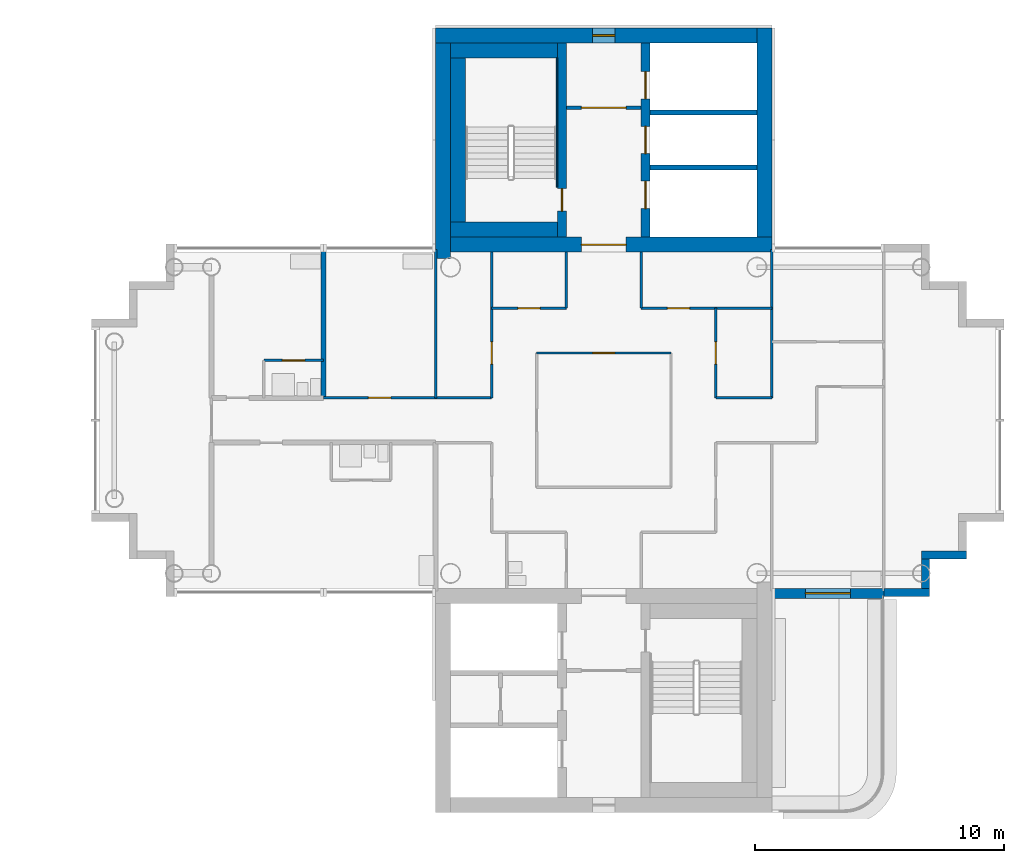
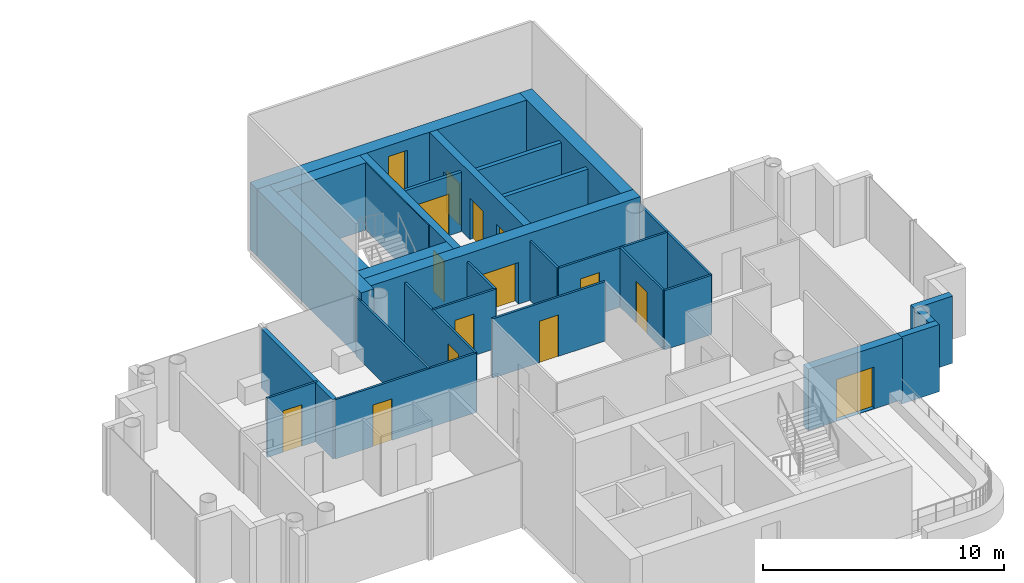
# One storey, part 10 of 18: 30 walls, 14 doors, 1 window, 15 openings.
"""IFC4 building model written with IfcOpenShell, lengths in metres."""

from ifc_helpers import new_model, si_unit, direction, frame, frame_2d, origin, place, context, subcontext, project, spatial, rectangle, extrude, material, layer, layer_set, type_object, element, fill, save


model = new_model("IFC4")

# Units and contexts
model_context = context("Model", 3, precision=1e-05, world=origin(), true_north=direction((0.0, 1.0)))
body_context = subcontext(model_context, "Body", "Model", "MODEL_VIEW")
ifc_project = project(units=[si_unit("LENGTHUNIT", "METRE"), si_unit("AREAUNIT", "SQUARE_METRE"), si_unit("VOLUMEUNIT", "CUBIC_METRE"), si_unit("PLANEANGLEUNIT", "RADIAN"), si_unit("MASSUNIT", "GRAM", prefix="KILO")], contexts=[model_context])

# Site, building, storey
site_placement = place(None, origin())
site = spatial("IfcSite", under=ifc_project, at=site_placement, CompositionType="ELEMENT")
building_placement = place(site_placement, origin())
building = spatial("IfcBuilding", under=site, at=building_placement, Name="Ipe Terrace Towers", CompositionType="ELEMENT")
storey_placement = place(building_placement, frame((0.0, 0.0, 213.0)))
storey = spatial("IfcBuildingStorey", under=building, at=storey_placement, Name="L59", CompositionType="ELEMENT", Elevation=213.0)

# Wall, opening, door
ifc_material_1 = material(Name="Concrete C40/50 with buff precast cladding", Category="concrete")
ifc_layer_1 = layer(ifc_material_1, 0.39990234375)
ifc_layer_set_1 = layer_set([ifc_layer_1], Name="BALCONY BAY WALL 400")
wall_type_1 = type_object("IfcWallType", Name="BALCONY BAY WALL 400", PredefinedType="STANDARD", material=ifc_layer_set_1)
wall_1_placement = place(storey_placement, frame((42.75, -6.949951171875, -0.02001953125), z_axis=(0.0, 0.0, 1.0), x_axis=(1.0, 0.0, 0.0)))
wall_1 = element("IfcWall", 1, at=wall_1_placement, inside=storey, type_object=wall_type_1, Name="T2-W-L59-02a wall", PredefinedType="STANDARD", context=body_context, shape_type="SweptSolid", body=[
    extrude(rectangle(XDim=4.5, YDim=0.39990234375, at=frame_2d((2.25, 0.0))), origin(), (0.0, 0.0, 1.0), 3.1201171875),
])
opening_1_placement = place(wall_1_placement, frame((1.35009765625, 0.0, 0.02001953125)))
opening_1 = element("IfcOpeningElement", 2, at=opening_1_placement, cuts=wall_1, Name="Opening T2-D-L59-02", PredefinedType="OPENING", context=body_context, shape_type="SweptSolid", body=[
    extrude(rectangle(XDim=1.800048828125, YDim=2.10009765625, at=frame_2d((0.89990234375, 1.050048828125))), frame((0.0, 0.2099609375, 0.0), z_axis=(0.0, -1.0, 0.0), x_axis=(1.0, 0.0, 0.0)), (0.0, 0.0, 1.0), 0.419921875),
])
ifc_material_2 = material(Name="Aluminium alloy 6063-T6 framed glazed door", Category="aluminium")
door_type_1 = type_object("IfcDoorType", Name="BALCONY DOOR 1800 x 2100 RIGHT", OperationType="SINGLE_SWING_RIGHT", PredefinedType="DOOR", material=ifc_material_2)
door_1_placement = place(opening_1_placement, origin())
door_1 = element("IfcDoor", 3, at=door_1_placement, inside=storey, type_object=door_type_1, Name="DB2 door", OperationType="SINGLE_SWING_RIGHT", OverallHeight=2.10009765625, OverallWidth=1.800048828125, PredefinedType="DOOR", context=body_context, shape_type="SweptSolid", body=[
    extrude(rectangle(XDim=1.800048828125, YDim=2.10009765625, at=frame_2d((0.89990234375, 1.050048828125))), frame((0.0, 0.02490234375, 0.0), z_axis=(0.0, -1.0, 0.0), x_axis=(1.0, 0.0, 0.0)), (0.0, 0.0, 1.0), 0.050048828125),
])
fill(opening_1, door_1)

# Walls
ifc_material_3 = material(Name="Concrete C40/50 with buff precast cladding", Category="concrete")
ifc_layer_2 = layer(ifc_material_3, 0.320068359375)
ifc_layer_set_2 = layer_set([ifc_layer_2], Name="BUFF CLADDING WALL 320")
wall_type_2 = type_object("IfcWallType", Name="BUFF CLADDING WALL 320", PredefinedType="STANDARD", material=ifc_layer_set_2)
wall_2_placement = place(storey_placement, frame((47.25, -6.909912109375, -0.300048828125), z_axis=(0.0, 0.0, 1.0), x_axis=(1.0, 0.0, 0.0)))
element("IfcWall", 4, at=wall_2_placement, inside=storey, type_object=wall_type_2, Name="T2-W-L59-03a wall", PredefinedType="STANDARD", context=body_context, shape_type="SweptSolid", body=[
    extrude(rectangle(XDim=1.820068359375, YDim=0.320068359375, at=frame_2d((0.91015625, 0.0))), origin(), (0.0, 0.0, 1.0), 3.400146484375),
])
wall_3_placement = place(storey_placement, frame((48.909912109375, -6.75, -0.300048828125), z_axis=(0.0, 0.0, 1.0), x_axis=(0.0, 1.0, 0.0)))
element("IfcWall", 5, at=wall_3_placement, inside=storey, type_object=wall_type_2, Name="T2-W-L59-04a wall", PredefinedType="STANDARD", context=body_context, shape_type="SweptSolid", body=[
    extrude(rectangle(XDim=1.179931640625, YDim=0.320068359375, at=frame_2d((0.58984375, 0.0))), origin(), (0.0, 0.0, 1.0), 3.400146484375),
])
wall_4_placement = place(storey_placement, frame((48.75, -5.409912109375, -0.300048828125), z_axis=(0.0, 0.0, 1.0), x_axis=(1.0, 0.0, 0.0)))
element("IfcWall", 6, at=wall_4_placement, inside=storey, type_object=wall_type_2, Name="T2-W-L59-05a wall", PredefinedType="STANDARD", context=body_context, shape_type="SweptSolid", body=[
    extrude(rectangle(XDim=1.820068359375, YDim=0.320068359375, at=frame_2d((0.91015625, 0.0))), origin(), (0.0, 0.0, 1.0), 3.400146484375),
])
ifc_material_4 = material(Name="Gypsum board partition", Category="plasterboard")
ifc_layer_3 = layer(ifc_material_4, 0.10009765625)
ifc_layer_set_3 = layer_set([ifc_layer_3], Name="Gypsum board partition 100 mm")
wall_type_3 = type_object("IfcWallType", Name="Gypsum board partition 100 mm", PredefinedType="PARTITIONING", material=ifc_layer_set_3)
wall_5_placement = place(storey_placement, frame((42.75, 0.89990234375, 0.0), z_axis=(0.0, 0.0, 1.0), x_axis=(-1.0, 0.0, 0.0)))
element("IfcWall", 7, at=wall_5_placement, inside=storey, type_object=wall_type_3, Name="Gypsum board partition T2 L59 W08", PredefinedType="PARTITIONING", context=body_context, shape_type="SweptSolid", body=[
    extrude(rectangle(XDim=2.25, YDim=0.10009765625, at=frame_2d((1.125, 0.0))), origin(), (0.0, 0.0, 1.0), 3.0),
])

# Wall, opening, door
wall_6_placement = place(storey_placement, frame((31.5, 0.89990234375, 0.0), z_axis=(0.0, 0.0, 1.0), x_axis=(-1.0, 0.0, 0.0)))
wall_6 = element("IfcWall", 8, at=wall_6_placement, inside=storey, type_object=wall_type_3, Name="Gypsum board partition T2 L59 W09", PredefinedType="PARTITIONING", context=body_context, shape_type="SweptSolid", body=[
    extrude(rectangle(XDim=6.75, YDim=0.10009765625, at=frame_2d((3.375, 0.0))), origin(), (0.0, 0.0, 1.0), 3.0),
])
opening_2_placement = place(wall_6_placement, frame((4.050048828125, 0.0, 0.0)))
opening_2 = element("IfcOpeningElement", 9, at=opening_2_placement, cuts=wall_6, Name="Opening T2-Z4E-12", PredefinedType="OPENING", context=body_context, shape_type="SweptSolid", body=[
    extrude(rectangle(XDim=0.89990234375, YDim=2.10009765625, at=frame_2d((0.449951171875, 1.050048828125))), frame((0.0, 0.06005859375, 0.0), z_axis=(0.0, -1.0, 0.0), x_axis=(1.0, 0.0, 0.0)), (0.0, 0.0, 1.0), 0.1201171875),
])
ifc_material_5 = material(Name="Timber door leaf", Category="wood")
door_type_2 = type_object("IfcDoorType", Name="Lounge door 900 x 2100", OperationType="NOTDEFINED", PredefinedType="DOOR", material=ifc_material_5)
door_2_placement = place(opening_2_placement, origin())
door_2 = element("IfcDoor", 10, at=door_2_placement, inside=storey, type_object=door_type_2, Name="Lounge door T2-Z4E-12", OperationType="SINGLE_SWING_RIGHT", OverallHeight=2.10009765625, OverallWidth=0.89990234375, PredefinedType="DOOR", context=body_context, shape_type="SweptSolid", body=[
    extrude(rectangle(XDim=0.89990234375, YDim=2.10009765625, at=frame_2d((0.449951171875, 1.050048828125))), frame((0.0, 0.02490234375, 0.0), z_axis=(0.0, -1.0, 0.0), x_axis=(1.0, 0.0, 0.0)), (0.0, 0.0, 1.0), 0.050048828125),
])
fill(opening_2, door_2)

wall_7_placement = place(storey_placement, frame((24.75, 2.39990234375, 0.0), z_axis=(0.0, 0.0, 1.0), x_axis=(-1.0, 0.0, 0.0)))
wall_7 = element("IfcWall", 11, at=wall_7_placement, inside=storey, type_object=wall_type_3, Name="Gypsum board partition T2 L59 W12", PredefinedType="PARTITIONING", context=body_context, shape_type="SweptSolid", body=[
    extrude(rectangle(XDim=2.39990234375, YDim=0.10009765625, at=frame_2d((1.199951171875, 0.0))), origin(), (0.0, 0.0, 1.0), 3.0),
])
opening_3_placement = place(wall_7_placement, frame((0.75, 0.0, 0.0)))
opening_3 = element("IfcOpeningElement", 12, at=opening_3_placement, cuts=wall_7, Name="Opening T2-Z4E-14", PredefinedType="OPENING", context=body_context, shape_type="SweptSolid", body=[
    extrude(rectangle(XDim=0.89990234375, YDim=2.10009765625, at=frame_2d((0.449951171875, 1.050048828125))), frame((0.0, 0.06005859375, 0.0), z_axis=(0.0, -1.0, 0.0), x_axis=(1.0, 0.0, 0.0)), (0.0, 0.0, 1.0), 0.1201171875),
])
ifc_material_6 = material(Name="Timber door leaf", Category="wood")
door_type_3 = type_object("IfcDoorType", Name="Bathroom door 900 x 2100", OperationType="NOTDEFINED", PredefinedType="DOOR", material=ifc_material_6)
door_3_placement = place(opening_3_placement, origin())
door_3 = element("IfcDoor", 13, at=door_3_placement, inside=storey, type_object=door_type_3, Name="Bathroom door T2-Z4E-14", OperationType="SINGLE_SWING_RIGHT", OverallHeight=2.10009765625, OverallWidth=0.89990234375, PredefinedType="DOOR", context=body_context, shape_type="SweptSolid", body=[
    extrude(rectangle(XDim=0.89990234375, YDim=2.10009765625, at=frame_2d((0.449951171875, 1.050048828125))), frame((0.0, 0.02490234375, 0.0), z_axis=(0.0, -1.0, 0.0), x_axis=(1.0, 0.0, 0.0)), (0.0, 0.0, 1.0), 0.050048828125),
])
fill(opening_3, door_3)

wall_8_placement = place(storey_placement, frame((38.699951171875, 2.699951171875, 0.0), z_axis=(0.0, 0.0, 1.0), x_axis=(-1.0, 0.0, 0.0)))
wall_8 = element("IfcWall", 14, at=wall_8_placement, inside=storey, type_object=wall_type_3, Name="Gypsum board partition T2 L59 W13", PredefinedType="PARTITIONING", context=body_context, shape_type="SweptSolid", body=[
    extrude(rectangle(XDim=5.39990234375, YDim=0.10009765625, at=frame_2d((2.699951171875, 0.0))), origin(), (0.0, 0.0, 1.0), 3.0),
])
opening_4_placement = place(wall_8_placement, frame((2.25, 0.0, 0.0)))
opening_4 = element("IfcOpeningElement", 15, at=opening_4_placement, cuts=wall_8, Name="Opening T2-Z4E-02", PredefinedType="OPENING", context=body_context, shape_type="SweptSolid", body=[
    extrude(rectangle(XDim=0.89990234375, YDim=2.10009765625, at=frame_2d((0.449951171875, 1.050048828125))), frame((0.0, 0.06005859375, 0.0), z_axis=(0.0, -1.0, 0.0), x_axis=(1.0, 0.0, 0.0)), (0.0, 0.0, 1.0), 0.1201171875),
])
door_4_placement = place(opening_4_placement, origin())
door_4 = element("IfcDoor", 16, at=door_4_placement, inside=storey, type_object=door_type_2, Name="Lounge door T2-Z4E-02", OperationType="SINGLE_SWING_LEFT", OverallHeight=2.10009765625, OverallWidth=0.89990234375, PredefinedType="DOOR", context=body_context, shape_type="SweptSolid", body=[
    extrude(rectangle(XDim=0.89990234375, YDim=2.10009765625, at=frame_2d((0.449951171875, 1.050048828125))), frame((0.0, 0.02490234375, 0.0), z_axis=(0.0, -1.0, 0.0), x_axis=(1.0, 0.0, 0.0)), (0.0, 0.0, 1.0), 0.050048828125),
])
fill(opening_4, door_4)

wall_9_placement = place(storey_placement, frame((42.75, 4.5, 0.0), z_axis=(0.0, 0.0, 1.0), x_axis=(-1.0, 0.0, 0.0)))
wall_9 = element("IfcWall", 17, at=wall_9_placement, inside=storey, type_object=wall_type_3, Name="Gypsum board partition T2 L59 W15", PredefinedType="PARTITIONING", context=body_context, shape_type="SweptSolid", body=[
    extrude(rectangle(XDim=5.25, YDim=0.10009765625, at=frame_2d((2.625, 0.0))), origin(), (0.0, 0.0, 1.0), 3.0),
])
opening_5_placement = place(wall_9_placement, frame((3.300048828125, 0.0, 0.0)))
opening_5 = element("IfcOpeningElement", 18, at=opening_5_placement, cuts=wall_9, Name="Opening T2-Z4E-09", PredefinedType="OPENING", context=body_context, shape_type="SweptSolid", body=[
    extrude(rectangle(XDim=0.89990234375, YDim=2.10009765625, at=frame_2d((0.449951171875, 1.050048828125))), frame((0.0, 0.06005859375, 0.0), z_axis=(0.0, -1.0, 0.0), x_axis=(1.0, 0.0, 0.0)), (0.0, 0.0, 1.0), 0.1201171875),
])
door_5_placement = place(opening_5_placement, origin())
door_5 = element("IfcDoor", 19, at=door_5_placement, inside=storey, type_object=door_type_2, Name="Lounge door T2-Z4E-09", OperationType="SINGLE_SWING_RIGHT", OverallHeight=2.10009765625, OverallWidth=0.89990234375, PredefinedType="DOOR", context=body_context, shape_type="SweptSolid", body=[
    extrude(rectangle(XDim=0.89990234375, YDim=2.10009765625, at=frame_2d((0.449951171875, 1.050048828125))), frame((0.0, 0.02490234375, 0.0), z_axis=(0.0, -1.0, 0.0), x_axis=(1.0, 0.0, 0.0)), (0.0, 0.0, 1.0), 0.050048828125),
])
fill(opening_5, door_5)

wall_10_placement = place(storey_placement, frame((34.5, 4.5, 0.0), z_axis=(0.0, 0.0, 1.0), x_axis=(-1.0, 0.0, 0.0)))
wall_10 = element("IfcWall", 20, at=wall_10_placement, inside=storey, type_object=wall_type_3, Name="Gypsum board partition T2 L59 W16", PredefinedType="PARTITIONING", context=body_context, shape_type="SweptSolid", body=[
    extrude(rectangle(XDim=3.0, YDim=0.10009765625, at=frame_2d((1.5, 0.0))), origin(), (0.0, 0.0, 1.0), 3.0),
])
opening_6_placement = place(wall_10_placement, frame((1.050048828125, 0.0, 0.0)))
opening_6 = element("IfcOpeningElement", 21, at=opening_6_placement, cuts=wall_10, Name="Opening T2-Z4E-05", PredefinedType="OPENING", context=body_context, shape_type="SweptSolid", body=[
    extrude(rectangle(XDim=0.89990234375, YDim=2.10009765625, at=frame_2d((0.449951171875, 1.050048828125))), frame((0.0, 0.06005859375, 0.0), z_axis=(0.0, -1.0, 0.0), x_axis=(1.0, 0.0, 0.0)), (0.0, 0.0, 1.0), 0.1201171875),
])
door_6_placement = place(opening_6_placement, origin())
door_6 = element("IfcDoor", 22, at=door_6_placement, inside=storey, type_object=door_type_2, Name="Lounge door T2-Z4E-05", OperationType="SINGLE_SWING_RIGHT", OverallHeight=2.10009765625, OverallWidth=0.89990234375, PredefinedType="DOOR", context=body_context, shape_type="SweptSolid", body=[
    extrude(rectangle(XDim=0.89990234375, YDim=2.10009765625, at=frame_2d((0.449951171875, 1.050048828125))), frame((0.0, 0.02490234375, 0.0), z_axis=(0.0, -1.0, 0.0), x_axis=(1.0, 0.0, 0.0)), (0.0, 0.0, 1.0), 0.050048828125),
])
fill(opening_6, door_6)

# Wall
wall_11_placement = place(storey_placement, frame((42.75, 0.89990234375, 0.0), z_axis=(0.0, 0.0, 1.0), x_axis=(0.0, 1.0, 0.0)))
element("IfcWall", 23, at=wall_11_placement, inside=storey, type_object=wall_type_3, Name="Gypsum board partition T2 L59 W20", PredefinedType="PARTITIONING", context=body_context, shape_type="SweptSolid", body=[
    extrude(rectangle(XDim=5.9501953125, YDim=0.10009765625, at=frame_2d((2.97509765625, 0.0))), origin(), (0.0, 0.0, 1.0), 3.0),
])

# Wall, opening, door
wall_12_placement = place(storey_placement, frame((40.5, 0.89990234375, 0.0), z_axis=(0.0, 0.0, 1.0), x_axis=(0.0, 1.0, 0.0)))
wall_12 = element("IfcWall", 24, at=wall_12_placement, inside=storey, type_object=wall_type_3, Name="Gypsum board partition T2 L59 W22", PredefinedType="PARTITIONING", context=body_context, shape_type="SweptSolid", body=[
    extrude(rectangle(XDim=3.60009765625, YDim=0.10009765625, at=frame_2d((1.800048828125, 0.0))), origin(), (0.0, 0.0, 1.0), 3.0),
])
opening_7_placement = place(wall_12_placement, frame((1.35009765625, 0.0, 0.0)))
opening_7 = element("IfcOpeningElement", 25, at=opening_7_placement, cuts=wall_12, Name="Opening T2-Z4E-08", PredefinedType="OPENING", context=body_context, shape_type="SweptSolid", body=[
    extrude(rectangle(XDim=0.89990234375, YDim=2.10009765625, at=frame_2d((0.449951171875, 1.050048828125))), frame((0.0, 0.06005859375, 0.0), z_axis=(0.0, -1.0, 0.0), x_axis=(1.0, 0.0, 0.0)), (0.0, 0.0, 1.0), 0.1201171875),
])
door_7_placement = place(opening_7_placement, origin())
door_7 = element("IfcDoor", 26, at=door_7_placement, inside=storey, type_object=door_type_2, Name="Lounge door T2-Z4E-08", OperationType="SINGLE_SWING_RIGHT", OverallHeight=2.10009765625, OverallWidth=0.89990234375, PredefinedType="DOOR", context=body_context, shape_type="SweptSolid", body=[
    extrude(rectangle(XDim=0.89990234375, YDim=2.10009765625, at=frame_2d((0.449951171875, 1.050048828125))), frame((0.0, 0.02490234375, 0.0), z_axis=(0.0, -1.0, 0.0), x_axis=(1.0, 0.0, 0.0)), (0.0, 0.0, 1.0), 0.050048828125),
])
fill(opening_7, door_7)

# Walls
for number, where, z_axis, x_axis, name in (
    (27, (37.5, 4.5, 0.0), (0.0, 0.0, 1.0), (0.0, 1.0, 0.0), "Gypsum board partition T2 L59 W25"),
    (28, (34.5, 4.5, 0.0), (0.0, 0.0, 1.0), (0.0, 1.0, 0.0), "Gypsum board partition T2 L59 W27"),
):
    element("IfcWall", number, at=place(storey_placement, frame(where, z_axis=z_axis, x_axis=x_axis)), inside=storey, type_object=wall_type_3, Name=name, PredefinedType="PARTITIONING", context=body_context, shape_type="SweptSolid", body=[
        extrude(rectangle(XDim=2.25, YDim=0.10009765625, at=frame_2d((1.125, 0.0))), origin(), (0.0, 0.0, 1.0), 3.0),
    ])

# Wall, opening, door
wall_13_placement = place(storey_placement, frame((31.5, 0.89990234375, 0.0), z_axis=(0.0, 0.0, 1.0), x_axis=(0.0, 1.0, 0.0)))
wall_13 = element("IfcWall", 29, at=wall_13_placement, inside=storey, type_object=wall_type_3, Name="Gypsum board partition T2 L59 W31", PredefinedType="PARTITIONING", context=body_context, shape_type="SweptSolid", body=[
    extrude(rectangle(XDim=5.85009765625, YDim=0.10009765625, at=frame_2d((2.925048828125, 0.0))), origin(), (0.0, 0.0, 1.0), 3.0),
])
opening_8_placement = place(wall_13_placement, frame((1.35009765625, 0.0, 0.0)))
opening_8 = element("IfcOpeningElement", 30, at=opening_8_placement, cuts=wall_13, Name="Opening T2-Z4E-04", PredefinedType="OPENING", context=body_context, shape_type="SweptSolid", body=[
    extrude(rectangle(XDim=0.89990234375, YDim=2.10009765625, at=frame_2d((0.449951171875, 1.050048828125))), frame((0.0, 0.06005859375, 0.0), z_axis=(0.0, -1.0, 0.0), x_axis=(1.0, 0.0, 0.0)), (0.0, 0.0, 1.0), 0.1201171875),
])
door_8_placement = place(opening_8_placement, origin())
door_8 = element("IfcDoor", 31, at=door_8_placement, inside=storey, type_object=door_type_2, Name="Lounge door T2-Z4E-04", OperationType="SINGLE_SWING_RIGHT", OverallHeight=2.10009765625, OverallWidth=0.89990234375, PredefinedType="DOOR", context=body_context, shape_type="SweptSolid", body=[
    extrude(rectangle(XDim=0.89990234375, YDim=2.10009765625, at=frame_2d((0.449951171875, 1.050048828125))), frame((0.0, 0.02490234375, 0.0), z_axis=(0.0, -1.0, 0.0), x_axis=(1.0, 0.0, 0.0)), (0.0, 0.0, 1.0), 0.050048828125),
])
fill(opening_8, door_8)

# Wall
wall_14_placement = place(storey_placement, frame((29.25, 0.89990234375, 0.0), z_axis=(0.0, 0.0, 1.0), x_axis=(0.0, 1.0, 0.0)))
element("IfcWall", 32, at=wall_14_placement, inside=storey, type_object=wall_type_3, Name="Gypsum board partition T2 L59 W32", PredefinedType="PARTITIONING", context=body_context, shape_type="SweptSolid", body=[
    extrude(rectangle(XDim=5.9501953125, YDim=0.10009765625, at=frame_2d((2.97509765625, 0.0))), origin(), (0.0, 0.0, 1.0), 3.0),
])

# Wall, opening, door
ifc_material_7 = material(Name="Gypsum board partition", Category="plasterboard")
ifc_layer_4 = layer(ifc_material_7, 0.14990234375)
ifc_layer_set_4 = layer_set([ifc_layer_4], Name="Gypsum board partition 150 mm")
wall_type_4 = type_object("IfcWallType", Name="Gypsum board partition 150 mm", PredefinedType="PARTITIONING", material=ifc_layer_set_4)
wall_15_placement = place(storey_placement, frame((37.5, 12.550048828125, 0.0), z_axis=(0.0, 0.0, 1.0), x_axis=(-1.0, 0.0, 0.0)))
wall_15 = element("IfcWall", 33, at=wall_15_placement, inside=storey, type_object=wall_type_4, Name="Gypsum board partition T2 L59 t2c1-lobby-wall", PredefinedType="PARTITIONING", context=body_context, shape_type="SweptSolid", body=[
    extrude(rectangle(XDim=3.0, YDim=0.14990234375, at=frame_2d((1.5, 0.0))), origin(), (0.0, 0.0, 1.0), 3.0),
])
opening_9_placement = place(wall_15_placement, frame((0.60009765625, 0.0, 0.0)))
opening_9 = element("IfcOpeningElement", 34, at=opening_9_placement, cuts=wall_15, Name="Opening T2C1-VD", PredefinedType="OPENING", context=body_context, shape_type="SweptSolid", body=[
    extrude(rectangle(XDim=1.800048828125, YDim=2.10009765625, at=frame_2d((0.89990234375, 1.050048828125))), frame((0.0, 0.0849609375, 0.0), z_axis=(0.0, -1.0, 0.0), x_axis=(1.0, 0.0, 0.0)), (0.0, 0.0, 1.0), 0.169921875),
])
ifc_material_8 = material(Name="Fire-rated timber door leaf", Category="wood")
door_type_4 = type_object("IfcDoorType", Name="Lobby door 1800 x 2100 FD60", OperationType="NOTDEFINED", PredefinedType="DOOR", material=ifc_material_8)
door_9_placement = place(opening_9_placement, origin())
door_9 = element("IfcDoor", 35, at=door_9_placement, inside=storey, type_object=door_type_4, Name="Lobby door T2C1-VD", OperationType="SINGLE_SWING_LEFT", OverallHeight=2.10009765625, OverallWidth=1.800048828125, PredefinedType="DOOR", context=body_context, shape_type="SweptSolid", body=[
    extrude(rectangle(XDim=1.800048828125, YDim=2.10009765625, at=frame_2d((0.89990234375, 1.050048828125))), frame((0.0, 0.02490234375, 0.0), z_axis=(0.0, -1.0, 0.0), x_axis=(1.0, 0.0, 0.0)), (0.0, 0.0, 1.0), 0.050048828125),
])
fill(opening_9, door_9)

# Walls
ifc_material_9 = material(Name="Gypsum board party wall", Category="plasterboard")
ifc_layer_5 = layer(ifc_material_9, 0.199951171875)
ifc_layer_set_5 = layer_set([ifc_layer_5], Name="Gypsum board party wall 200 mm")
wall_type_5 = type_object("IfcWallType", Name="Gypsum board party wall 200 mm", PredefinedType="SOLIDWALL", material=ifc_layer_set_5)
for number, where, z_axis, x_axis, name in (
    (36, (42.14990234375, 10.14990234375, 0.0), (0.0, 0.0, 1.0), (-1.0, 0.0, 0.0), "Gypsum board party wall T2 L59 t2c1-shaft-div1"),
    (37, (42.14990234375, 12.35009765625, 0.0), (0.0, 0.0, 1.0), (-1.0, 0.0, 0.0), "Gypsum board party wall T2 L59 t2c1-shaft-div2"),
):
    element("IfcWall", number, at=place(storey_placement, frame(where, z_axis=z_axis, x_axis=x_axis)), inside=storey, type_object=wall_type_5, Name=name, PredefinedType="SOLIDWALL", context=body_context, shape_type="SweptSolid", body=[
        extrude(rectangle(XDim=4.2998046875, YDim=0.199951171875, at=frame_2d((2.14990234375, 0.0))), origin(), (0.0, 0.0, 1.0), 3.0),
    ])
wall_16_placement = place(storey_placement, frame((24.75, 0.89990234375, 0.0), z_axis=(0.0, 0.0, 1.0), x_axis=(0.0, 1.0, 0.0)))
element("IfcWall", 38, at=wall_16_placement, inside=storey, type_object=wall_type_5, Name="Gypsum board party wall T2 L59 W36", PredefinedType="SOLIDWALL", context=body_context, shape_type="SweptSolid", body=[
    extrude(rectangle(XDim=5.9501953125, YDim=0.199951171875, at=frame_2d((2.97509765625, 0.0))), origin(), (0.0, 0.0, 1.0), 3.0),
])

# Wall, opening, door
ifc_material_10 = material(Name="Concrete C40/50", Category="concrete")
ifc_layer_6 = layer(ifc_material_10, 0.35009765625)
ifc_layer_set_6 = layer_set([ifc_layer_6], Name="RW350 CORE SPINE WALL 350 C40-50")
wall_type_6 = type_object("IfcWallType", Name="RW350 CORE SPINE WALL 350 C40-50", PredefinedType="SHEAR", material=ifc_layer_set_6)
wall_17_placement = place(storey_placement, frame((34.324951171875, 7.35009765625, 0.0), z_axis=(0.0, 0.0, 1.0), x_axis=(0.0, 1.0, 0.0)))
wall_17 = element("IfcWall", 39, at=wall_17_placement, inside=storey, type_object=wall_type_6, Name="Core spine wall T2-C1-Z4-SW1", PredefinedType="SHEAR", context=body_context, shape_type="SweptSolid", body=[
    extrude(rectangle(XDim=7.7998046875, YDim=0.35009765625, at=frame_2d((3.89990234375, 0.0))), origin(), (0.0, 0.0, 1.0), 3.39990234375),
])
opening_10_placement = place(wall_17_placement, frame((1.050048828125, 0.0, 0.0)))
opening_10 = element("IfcOpeningElement", 40, at=opening_10_placement, cuts=wall_17, Name="Opening T2C1-SD", PredefinedType="OPENING", context=body_context, shape_type="SweptSolid", body=[
    extrude(rectangle(XDim=0.89990234375, YDim=2.10009765625, at=frame_2d((0.449951171875, 1.050048828125))), frame((0.0, 0.18505859375, 0.0), z_axis=(0.0, -1.0, 0.0), x_axis=(1.0, 0.0, 0.0)), (0.0, 0.0, 1.0), 0.3701171875),
])
ifc_material_11 = material(Name="Fire-rated timber door leaf", Category="wood")
door_type_5 = type_object("IfcDoorType", Name="Stair door 900 x 2100 FD60", OperationType="NOTDEFINED", PredefinedType="DOOR", material=ifc_material_11)
door_10_placement = place(opening_10_placement, origin())
door_10 = element("IfcDoor", 41, at=door_10_placement, inside=storey, type_object=door_type_5, Name="Stair door T2C1-SD", OperationType="SINGLE_SWING_LEFT", OverallHeight=2.10009765625, OverallWidth=0.89990234375, PredefinedType="DOOR", context=body_context, shape_type="SweptSolid", body=[
    extrude(rectangle(XDim=0.89990234375, YDim=2.10009765625, at=frame_2d((0.449951171875, 1.050048828125))), frame((0.0, 0.02490234375, 0.0), z_axis=(0.0, -1.0, 0.0), x_axis=(1.0, 0.0, 0.0)), (0.0, 0.0, 1.0), 0.050048828125),
])
fill(opening_10, door_10)

# Wall, openings, doors
wall_18_placement = place(storey_placement, frame((37.675048828125, 7.35009765625, 0.0), z_axis=(0.0, 0.0, 1.0), x_axis=(0.0, 1.0, 0.0)))
wall_18 = element("IfcWall", 42, at=wall_18_placement, inside=storey, type_object=wall_type_6, Name="Core spine wall T2-C1-Z4-SW2", PredefinedType="SHEAR", context=body_context, shape_type="SweptSolid", body=[
    extrude(rectangle(XDim=7.7998046875, YDim=0.35009765625, at=frame_2d((3.89990234375, 0.0))), origin(), (0.0, 0.0, 1.0), 3.39990234375),
])
opening_11_placement = place(wall_18_placement, frame((1.14990234375, 0.0, 0.0)))
opening_11 = element("IfcOpeningElement", 43, at=opening_11_placement, cuts=wall_18, Name="Opening T2C1-LD1", PredefinedType="OPENING", context=body_context, shape_type="SweptSolid", body=[
    extrude(rectangle(XDim=1.10009765625, YDim=2.10009765625, at=frame_2d((0.550048828125, 1.050048828125))), frame((0.0, 0.18505859375, 0.0), z_axis=(0.0, -1.0, 0.0), x_axis=(1.0, 0.0, 0.0)), (0.0, 0.0, 1.0), 0.3701171875),
])
opening_12_placement = place(wall_18_placement, frame((3.35009765625, 0.0, 0.0)))
opening_12 = element("IfcOpeningElement", 44, at=opening_12_placement, cuts=wall_18, Name="Opening T2C1-LD2", PredefinedType="OPENING", context=body_context, shape_type="SweptSolid", body=[
    extrude(rectangle(XDim=1.10009765625, YDim=2.10009765625, at=frame_2d((0.550048828125, 1.050048828125))), frame((0.0, 0.18505859375, 0.0), z_axis=(0.0, -1.0, 0.0), x_axis=(1.0, 0.0, 0.0)), (0.0, 0.0, 1.0), 0.3701171875),
])
opening_13_placement = place(wall_18_placement, frame((5.550048828125, 0.0, 0.0)))
opening_13 = element("IfcOpeningElement", 45, at=opening_13_placement, cuts=wall_18, Name="Opening T2C1-LD3", PredefinedType="OPENING", context=body_context, shape_type="SweptSolid", body=[
    extrude(rectangle(XDim=1.10009765625, YDim=2.10009765625, at=frame_2d((0.550048828125, 1.050048828125))), frame((0.0, 0.18505859375, 0.0), z_axis=(0.0, -1.0, 0.0), x_axis=(1.0, 0.0, 0.0)), (0.0, 0.0, 1.0), 0.3701171875),
])
ifc_material_12 = material(Name="Fire-rated timber door leaf", Category="wood")
door_type_6 = type_object("IfcDoorType", Name="Sliding door 1100 x 2100 FD60", OperationType="SLIDING_TO_LEFT", PredefinedType="DOOR", material=ifc_material_12)
door_11_placement = place(opening_11_placement, origin())
door_11 = element("IfcDoor", 46, at=door_11_placement, inside=storey, type_object=door_type_6, Name="Sliding door T2C1-LD1", OperationType="SLIDING_TO_LEFT", OverallHeight=2.10009765625, OverallWidth=1.10009765625, PredefinedType="DOOR", context=body_context, shape_type="SweptSolid", body=[
    extrude(rectangle(XDim=1.10009765625, YDim=2.10009765625, at=frame_2d((0.550048828125, 1.050048828125))), frame((0.0, 0.02490234375, 0.0), z_axis=(0.0, -1.0, 0.0), x_axis=(1.0, 0.0, 0.0)), (0.0, 0.0, 1.0), 0.050048828125),
])
fill(opening_11, door_11)
door_12_placement = place(opening_12_placement, origin())
door_12 = element("IfcDoor", 47, at=door_12_placement, inside=storey, type_object=door_type_6, Name="Sliding door T2C1-LD2", OperationType="SLIDING_TO_LEFT", OverallHeight=2.10009765625, OverallWidth=1.10009765625, PredefinedType="DOOR", context=body_context, shape_type="SweptSolid", body=[
    extrude(rectangle(XDim=1.10009765625, YDim=2.10009765625, at=frame_2d((0.550048828125, 1.050048828125))), frame((0.0, 0.02490234375, 0.0), z_axis=(0.0, -1.0, 0.0), x_axis=(1.0, 0.0, 0.0)), (0.0, 0.0, 1.0), 0.050048828125),
])
fill(opening_12, door_12)
door_13_placement = place(opening_13_placement, origin())
door_13 = element("IfcDoor", 48, at=door_13_placement, inside=storey, type_object=door_type_6, Name="Sliding door T2C1-LD3", OperationType="SLIDING_TO_LEFT", OverallHeight=2.10009765625, OverallWidth=1.10009765625, PredefinedType="DOOR", context=body_context, shape_type="SweptSolid", body=[
    extrude(rectangle(XDim=1.10009765625, YDim=2.10009765625, at=frame_2d((0.550048828125, 1.050048828125))), frame((0.0, 0.02490234375, 0.0), z_axis=(0.0, -1.0, 0.0), x_axis=(1.0, 0.0, 0.0)), (0.0, 0.0, 1.0), 0.050048828125),
])
fill(opening_13, door_13)

# Walls
ifc_material_13 = material(Name="Concrete C40/50", Category="concrete")
ifc_layer_7 = layer(ifc_material_13, 0.050048828125)
ifc_layer_set_7 = layer_set([ifc_layer_7], Name="RW50 CORE INFILL WALL 50 C40-50")
wall_type_7 = type_object("IfcWallType", Name="RW50 CORE INFILL WALL 50 C40-50", PredefinedType="SHEAR", material=ifc_layer_set_7)
wall_19_placement = place(storey_placement, frame((34.125, 9.35009765625, 0.0), z_axis=(0.0, 0.0, 1.0), x_axis=(0.0, 1.0, 0.0)))
element("IfcWall", 49, at=wall_19_placement, inside=storey, type_object=wall_type_7, Name="Core infill wall T2-C1-spine-b", PredefinedType="SHEAR", context=body_context, shape_type="SweptSolid", body=[
    extrude(rectangle(XDim=5.199951171875, YDim=0.050048828125, at=frame_2d((2.60009765625, 0.0))), origin(), (0.0, 0.0, 1.0), 3.39990234375),
])
ifc_material_14 = material(Name="Concrete C40/50", Category="concrete")
ifc_layer_8 = layer(ifc_material_14, 0.60009765625)
ifc_layer_set_8 = layer_set([ifc_layer_8], Name="RW600 CORE INFILL WALL 600 C40-50")
wall_type_8 = type_object("IfcWallType", Name="RW600 CORE INFILL WALL 600 C40-50", PredefinedType="SHEAR", material=ifc_layer_set_8)
wall_20_placement = place(storey_placement, frame((34.14990234375, 14.85009765625, 0.0), z_axis=(0.0, 0.0, 1.0), x_axis=(-1.0, 0.0, 0.0)))
element("IfcWall", 50, at=wall_20_placement, inside=storey, type_object=wall_type_8, Name="Core infill wall T2-C1-far", PredefinedType="SHEAR", context=body_context, shape_type="SweptSolid", body=[
    extrude(rectangle(XDim=4.2998046875, YDim=0.60009765625, at=frame_2d((2.14990234375, 0.0))), origin(), (0.0, 0.0, 1.0), 3.39990234375),
])
wall_21_placement = place(storey_placement, frame((30.14990234375, 7.949951171875, 0.0), z_axis=(0.0, 0.0, 1.0), x_axis=(0.0, 1.0, 0.0)))
element("IfcWall", 51, at=wall_21_placement, inside=storey, type_object=wall_type_8, Name="Core infill wall T2-C1-back", PredefinedType="SHEAR", context=body_context, shape_type="SweptSolid", body=[
    extrude(rectangle(XDim=6.60009765625, YDim=0.60009765625, at=frame_2d((3.300048828125, 0.0))), origin(), (0.0, 0.0, 1.0), 3.39990234375),
])
wall_22_placement = place(storey_placement, frame((34.14990234375, 7.64990234375, 0.0), z_axis=(0.0, 0.0, 1.0), x_axis=(-1.0, 0.0, 0.0)))
element("IfcWall", 52, at=wall_22_placement, inside=storey, type_object=wall_type_8, Name="Core infill wall T2-C1-near", PredefinedType="SHEAR", context=body_context, shape_type="SweptSolid", body=[
    extrude(rectangle(XDim=4.2998046875, YDim=0.60009765625, at=frame_2d((2.14990234375, 0.0))), origin(), (0.0, 0.0, 1.0), 3.39990234375),
])

# Wall, opening, door
ifc_material_15 = material(Name="Concrete C40/50", Category="concrete")
ifc_layer_9 = layer(ifc_material_15, 0.60009765625)
ifc_layer_set_9 = layer_set([ifc_layer_9], Name="RW600 CORE WALL 600 C40-50")
wall_type_9 = type_object("IfcWallType", Name="RW600 CORE WALL 600 C40-50", PredefinedType="SHEAR", material=ifc_layer_set_9)
wall_23_placement = place(storey_placement, frame((29.85009765625, 7.050048828125, 0.0), z_axis=(0.0, 0.0, 1.0), x_axis=(1.0, 0.0, 0.0)))
wall_23 = element("IfcWall", 53, at=wall_23_placement, inside=storey, type_object=wall_type_9, Name="Core wall T2-C1-Z4-W01", PredefinedType="SHEAR", context=body_context, shape_type="SweptSolid", body=[
    extrude(rectangle(XDim=12.89990234375, YDim=0.60009765625, at=frame_2d((6.449951171875, 0.0))), origin(), (0.0, 0.0, 1.0), 3.39990234375),
])
opening_14_placement = place(wall_23_placement, frame((5.25, 0.0, 0.0)))
opening_14 = element("IfcOpeningElement", 54, at=opening_14_placement, cuts=wall_23, Name="Opening T2C1-ND", PredefinedType="OPENING", context=body_context, shape_type="SweptSolid", body=[
    extrude(rectangle(XDim=1.800048828125, YDim=2.10009765625, at=frame_2d((0.89990234375, 1.050048828125))), frame((0.0, 0.31005859375, 0.0), z_axis=(0.0, -1.0, 0.0), x_axis=(1.0, 0.0, 0.0)), (0.0, 0.0, 1.0), 0.6201171875),
])
ifc_material_16 = material(Name="Fire-rated timber door leaf", Category="wood")
door_type_7 = type_object("IfcDoorType", Name="Fire door 1800 x 2100 FD30S", OperationType="NOTDEFINED", PredefinedType="DOOR", material=ifc_material_16)
door_14_placement = place(opening_14_placement, origin())
door_14 = element("IfcDoor", 55, at=door_14_placement, inside=storey, type_object=door_type_7, Name="Fire door T2C1-ND", OperationType="SINGLE_SWING_LEFT", OverallHeight=2.10009765625, OverallWidth=1.800048828125, PredefinedType="DOOR", context=body_context, shape_type="SweptSolid", body=[
    extrude(rectangle(XDim=1.800048828125, YDim=2.10009765625, at=frame_2d((0.89990234375, 1.050048828125))), frame((0.0, 0.02490234375, 0.0), z_axis=(0.0, -1.0, 0.0), x_axis=(1.0, 0.0, 0.0)), (0.0, 0.0, 1.0), 0.050048828125),
])
fill(opening_14, door_14)

# Wall
wall_24_placement = place(storey_placement, frame((42.449951171875, 7.35009765625, 0.0), z_axis=(0.0, 0.0, 1.0), x_axis=(0.0, 1.0, 0.0)))
element("IfcWall", 56, at=wall_24_placement, inside=storey, type_object=wall_type_9, Name="Core wall T2-C1-Z4-W02", PredefinedType="SHEAR", context=body_context, shape_type="SweptSolid", body=[
    extrude(rectangle(XDim=8.39990234375, YDim=0.60009765625, at=frame_2d((4.199951171875, 0.0))), origin(), (0.0, 0.0, 1.0), 3.39990234375),
])

# Wall, opening, window
wall_25_placement = place(storey_placement, frame((42.14990234375, 15.449951171875, 0.0), z_axis=(0.0, 0.0, 1.0), x_axis=(-1.0, 0.0, 0.0)))
wall_25 = element("IfcWall", 57, at=wall_25_placement, inside=storey, type_object=wall_type_9, Name="Core wall T2-C1-Z4-W03", PredefinedType="SHEAR", context=body_context, shape_type="SweptSolid", body=[
    extrude(rectangle(XDim=12.89990234375, YDim=0.60009765625, at=frame_2d((6.449951171875, 0.0))), origin(), (0.0, 0.0, 1.0), 3.39990234375),
])
opening_15_placement = place(wall_25_placement, frame((5.699951171875, 0.0, 0.449951171875)))
opening_15 = element("IfcOpeningElement", 58, at=opening_15_placement, cuts=wall_25, Name="Opening T2-C1-W-01-L59", PredefinedType="OPENING", context=body_context, shape_type="SweptSolid", body=[
    extrude(rectangle(XDim=0.89990234375, YDim=2.39990234375, at=frame_2d((0.449951171875, 1.199951171875))), frame((0.0, 0.31005859375, 0.0), z_axis=(0.0, -1.0, 0.0), x_axis=(1.0, 0.0, 0.0)), (0.0, 0.0, 1.0), 0.6201171875),
])
ifc_material_17 = material(Name="Fire-resistant glazing EI 60", Category="glass")
window_type = type_object("IfcWindowType", Name="CORRIDOR END SLOT WINDOW 900 x 2400 EI 60", PartitioningType="SINGLE_PANEL", PredefinedType="WINDOW", material=ifc_material_17)
window_placement = place(opening_15_placement, origin())
window = element("IfcWindow", 59, at=window_placement, inside=storey, type_object=window_type, Name="W-01 window", OverallHeight=2.39990234375, OverallWidth=0.89990234375, PartitioningType="SINGLE_PANEL", PredefinedType="WINDOW", context=body_context, shape_type="SweptSolid", body=[
    extrude(rectangle(XDim=0.89990234375, YDim=2.39990234375, at=frame_2d((0.449951171875, 1.199951171875))), frame((0.0, 0.030029296875, 0.0), z_axis=(0.0, -1.0, 0.0), x_axis=(1.0, 0.0, 0.0)), (0.0, 0.0, 1.0), 0.06005859375),
])
fill(opening_15, window)

# Wall
wall_26_placement = place(storey_placement, frame((29.550048828125, 15.14990234375, 0.0), z_axis=(0.0, 0.0, 1.0), x_axis=(0.0, -1.0, 0.0)))
element("IfcWall", 60, at=wall_26_placement, inside=storey, type_object=wall_type_9, Name="Core wall T2-C1-Z4-W04", PredefinedType="SHEAR", context=body_context, shape_type="SweptSolid", body=[
    extrude(rectangle(XDim=8.64794921875, YDim=0.60009765625, at=frame_2d((4.323974609375, 0.0))), origin(), (0.0, 0.0, 1.0), 3.39990234375),
])

save(model, "model.ifc")
